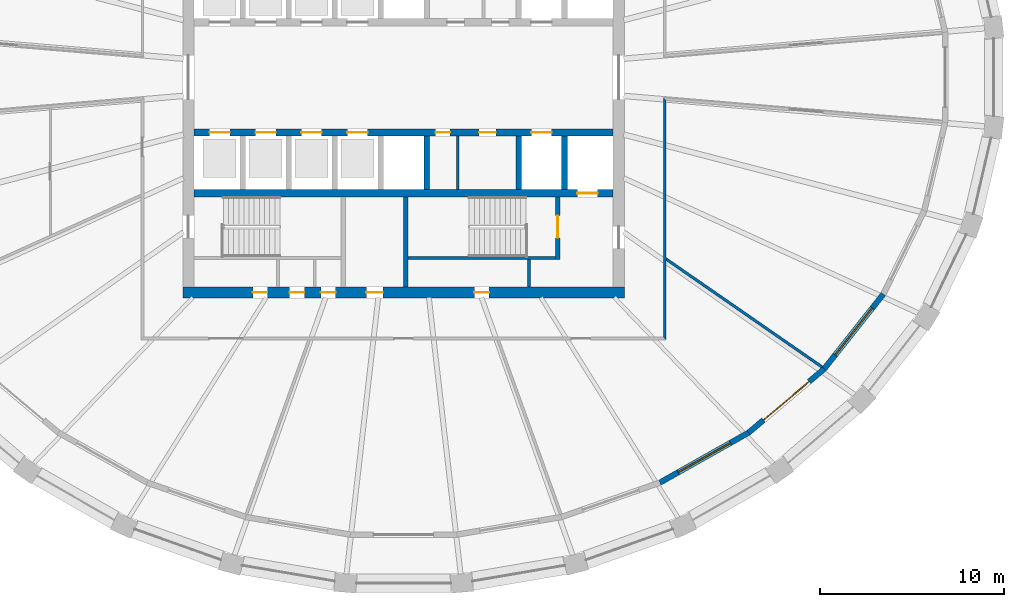
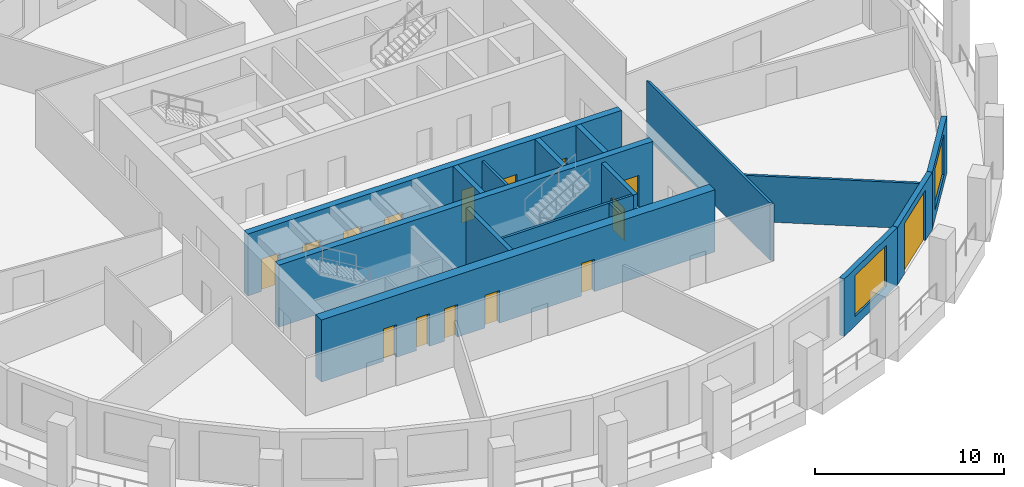
# One storey, part 4 of 10: 16 walls, 15 doors, 2 windows, 17 openings.
"""IFC4 building model written with IfcOpenShell, lengths in metres."""

from ifc_helpers import new_model, si_unit, direction, frame, frame_2d, origin, place, context, subcontext, project, spatial, polyline, rectangle, outline, extrude, material, layer, layer_set, type_object, element, fill, save


model = new_model("IFC4")

# Units and contexts
model_context = context("Model", 3, precision=1e-05, world=origin(), true_north=direction((0.0, 1.0)))
body_context = subcontext(model_context, "Body", "Model", "MODEL_VIEW")
ifc_project = project(units=[si_unit("LENGTHUNIT", "METRE"), si_unit("AREAUNIT", "SQUARE_METRE"), si_unit("VOLUMEUNIT", "CUBIC_METRE"), si_unit("PLANEANGLEUNIT", "RADIAN"), si_unit("MASSUNIT", "GRAM", prefix="KILO")], contexts=[model_context])

# Site, building, storey
site_placement = place(None, origin())
site = spatial("IfcSite", under=ifc_project, at=site_placement, CompositionType="ELEMENT")
building_placement = place(site_placement, origin())
building = spatial("IfcBuilding", under=site, at=building_placement, Name="Halqa Exchange Tower", CompositionType="ELEMENT")
storey_placement = place(building_placement, frame((0.0, 0.0, 206.89990234375)))
storey = spatial("IfcBuildingStorey", under=building, at=storey_placement, Name="L47", CompositionType="ELEMENT", Elevation=206.89990234375)

# Walls
ifc_material_1 = material(Name="Fire-rated gypsum board")
ifc_layer_1 = layer(ifc_material_1, 0.14990234375)
ifc_layer_set_1 = layer_set([ifc_layer_1], Name="Fire-rated gypsum board")
wall_type_1 = type_object("IfcWallType", Name="Fire partition EI 60 150", PredefinedType="PARTITIONING", material=ifc_layer_set_1)
wall_1_placement = place(storey_placement, frame((14.199951171875, -14.27490234375, 0.0), z_axis=(0.0, 0.0, 1.0), x_axis=(0.0, 1.0, 0.0)))
element("IfcWall", 1, at=wall_1_placement, inside=storey, type_object=wall_type_1, Name="L47-PWL-016", PredefinedType="PARTITIONING", context=body_context, shape_type="SweptSolid", body=[
    extrude(outline(polyline([(0.0, -0.074951171875), (1.859130859375, -0.074951171875), (3.71826171875, -0.074951171875), (5.5771484375, -0.074951171875), (7.436279296875, -0.074951171875), (9.29541015625, -0.074951171875), (11.154541015625, -0.074951171875), (13.013427734375, -0.074951171875), (13.176513671875, 0.074951171875), (11.3154296875, 0.074951171875), (9.45458984375, 0.074951171875), (7.593505859375, 0.074951171875), (5.732666015625, 0.074951171875), (3.871826171875, 0.074951171875), (2.0107421875, 0.074951171875), (0.14990234375, 0.074951171875), (0.0, -0.074951171875)])), origin(), (0.0, 0.0, 1.0), 3.7001953125),
])
wall_2_placement = place(storey_placement, frame((14.232421875, -9.8525390625, 0.0), z_axis=(0.0, 0.0, 1.0), x_axis=(0.822298116352, -0.569056946047, 0.0)))
element("IfcWall", 2, at=wall_2_placement, inside=storey, type_object=wall_type_1, Name="L47-PWL-017", PredefinedType="PARTITIONING", context=body_context, shape_type="SweptSolid", body=[
    extrude(outline(polyline([(0.103759765625, -0.074951171875), (1.810791015625, -0.074951171875), (3.517822265625, -0.074951171875), (5.224853515625, -0.074951171875), (6.931884765625, -0.074951171875), (8.638916015625, -0.074951171875), (10.345947265625, -0.074951171875), (10.36572265625, -0.001953125), (10.370361328125, 0.070068359375), (10.370361328125, 0.074951171875), (8.64208984375, 0.074951171875), (6.91357421875, 0.074951171875), (5.18505859375, 0.074951171875), (3.456787109375, 0.074951171875), (1.728515625, 0.074951171875), (0.0, 0.074951171875), (0.0, 0.07470703125), (0.103759765625, -0.074951171875)])), origin(), (0.0, 0.0, 1.0), 2.947021484375),
])
ifc_material_2 = material(Name="Gypsum board")
ifc_layer_2 = layer(ifc_material_2, 0.14990234375)
ifc_layer_set_2 = layer_set([ifc_layer_2], Name="Gypsum board")
wall_type_2 = type_object("IfcWallType", Name="Penthouse riser wall 150 gypsum", PredefinedType="PARTITIONING", material=ifc_layer_set_2)
wall_3_placement = place(storey_placement, frame((6.824951171875, -11.39990234375, 0.0), z_axis=(0.0, 0.0, 1.0), x_axis=(0.0, 1.0, 0.0)))
element("IfcWall", 3, at=wall_3_placement, inside=storey, type_object=wall_type_2, Name="Firefighting lobby west wall S", PredefinedType="PARTITIONING", context=body_context, shape_type="SweptSolid", body=[
    extrude(rectangle(XDim=1.5, YDim=0.14990234375, at=frame_2d((0.75, 0.0))), origin(), (0.0, 0.0, 1.0), 3.7001953125),
])
wall_4_placement = place(storey_placement, frame((2.949951171875, -6.10009765625, 0.0), z_axis=(0.0, 0.0, 1.0), x_axis=(0.0, 1.0, 0.0)))
element("IfcWall", 4, at=wall_4_placement, inside=storey, type_object=wall_type_2, Name="Freed bay partition SE2.950", PredefinedType="PARTITIONING", context=body_context, shape_type="SweptSolid", body=[
    extrude(rectangle(XDim=2.900146484375, YDim=0.14990234375, at=frame_2d((1.4501953125, 0.0))), origin(), (0.0, 0.0, 1.0), 3.7001953125),
])
ifc_material_3 = material(Name="Concrete C60/75", Category="concrete")
ifc_layer_3 = layer(ifc_material_3, 0.300048828125)
ifc_layer_set_3 = layer_set([ifc_layer_3], Name="Concrete C60/75")
wall_type_3 = type_object("IfcWallType", Name="RC core wall 300", PredefinedType="SHEAR", material=ifc_layer_set_3)
for number, where, z_axis, x_axis, name in (
    (5, (1.25, -6.10009765625, 0.0), (0.0, 0.0, 1.0), (0.0, 1.0, 0.0), "Shaft divider S5"),
    (6, (6.25, -6.10009765625, 0.0), (0.0, 0.0, 1.0), (0.0, 1.0, 0.0), "Shaft divider S7"),
    (7, (8.75, -6.10009765625, 0.0), (0.0, 0.0, 1.0), (0.0, 1.0, 0.0), "Shaft divider S8"),
):
    element("IfcWall", number, at=place(storey_placement, frame(where, z_axis=z_axis, x_axis=x_axis)), inside=storey, type_object=wall_type_3, Name=name, PredefinedType="SHEAR", context=body_context, shape_type="SweptSolid", body=[
        extrude(rectangle(XDim=2.900146484375, YDim=0.300048828125, at=frame_2d((1.4501953125, 0.0))), origin(), (0.0, 0.0, 1.0), 4.0),
    ])

# Wall, openings, doors
ifc_material_4 = material(Name="Concrete C70/85", Category="concrete")
ifc_layer_4 = layer(ifc_material_4, 0.39990234375)
ifc_layer_set_4 = layer_set([ifc_layer_4], Name="Concrete C70/85")
wall_type_4 = type_object("IfcWallType", Name="RC core wall 400 C70/85", PredefinedType="SHEAR", material=ifc_layer_set_4)
wall_5_placement = place(storey_placement, frame((-11.39990234375, -3.0, 0.0), z_axis=(0.0, 0.0, 1.0), x_axis=(1.0, 0.0, 0.0)))
wall_5 = element("IfcWall", 8, at=wall_5_placement, inside=storey, type_object=wall_type_4, Name="Lift row front wall S", PredefinedType="SHEAR", context=body_context, shape_type="SweptSolid", body=[
    extrude(rectangle(XDim=22.7998046875, YDim=0.39990234375, at=frame_2d((11.39990234375, 0.0))), origin(), (0.0, 0.0, 1.0), 4.0),
])
opening_1_placement = place(wall_5_placement, frame((0.85009765625, 0.0, 0.0)))
opening_1 = element("IfcOpeningElement", 9, at=opening_1_placement, cuts=wall_5, Name="Opening LD-HR3-T14", PredefinedType="OPENING", context=body_context, shape_type="SweptSolid", body=[
    extrude(rectangle(XDim=1.10009765625, YDim=2.10009765625, at=frame_2d((0.550048828125, 1.050048828125))), frame((0.0, 0.2119140625, 0.0), z_axis=(0.0, -1.0, 0.0), x_axis=(1.0, 0.0, 0.0)), (0.0, 0.0, 1.0), 0.423828125),
])
opening_2_placement = place(wall_5_placement, frame((3.35009765625, 0.0, 0.0)))
opening_2 = element("IfcOpeningElement", 10, at=opening_2_placement, cuts=wall_5, Name="Opening LD-HR4-T14", PredefinedType="OPENING", context=body_context, shape_type="SweptSolid", body=[
    extrude(rectangle(XDim=1.10009765625, YDim=2.10009765625, at=frame_2d((0.550048828125, 1.050048828125))), frame((0.0, 0.2119140625, 0.0), z_axis=(0.0, -1.0, 0.0), x_axis=(1.0, 0.0, 0.0)), (0.0, 0.0, 1.0), 0.423828125),
])
opening_3_placement = place(wall_5_placement, frame((5.85009765625, 0.0, 0.0)))
opening_3 = element("IfcOpeningElement", 11, at=opening_3_placement, cuts=wall_5, Name="Opening LD-MR3-T14", PredefinedType="OPENING", context=body_context, shape_type="SweptSolid", body=[
    extrude(rectangle(XDim=1.10009765625, YDim=2.10009765625, at=frame_2d((0.550048828125, 1.050048828125))), frame((0.0, 0.2119140625, 0.0), z_axis=(0.0, -1.0, 0.0), x_axis=(1.0, 0.0, 0.0)), (0.0, 0.0, 1.0), 0.423828125),
])
opening_4_placement = place(wall_5_placement, frame((8.35009765625, 0.0, 0.0)))
opening_4 = element("IfcOpeningElement", 12, at=opening_4_placement, cuts=wall_5, Name="Opening LD-MR4-T14", PredefinedType="OPENING", context=body_context, shape_type="SweptSolid", body=[
    extrude(rectangle(XDim=1.10009765625, YDim=2.10009765625, at=frame_2d((0.550048828125, 1.050048828125))), frame((0.0, 0.2119140625, 0.0), z_axis=(0.0, -1.0, 0.0), x_axis=(1.0, 0.0, 0.0)), (0.0, 0.0, 1.0), 0.423828125),
])
opening_5_placement = place(wall_5_placement, frame((18.35009765625, 0.0, 0.0)))
opening_5 = element("IfcOpeningElement", 13, at=opening_5_placement, cuts=wall_5, Name="Opening LD-SV2-T14", PredefinedType="OPENING", context=body_context, shape_type="SweptSolid", body=[
    extrude(rectangle(XDim=1.10009765625, YDim=2.10009765625, at=frame_2d((0.550048828125, 1.050048828125))), frame((0.0, 0.2119140625, 0.0), z_axis=(0.0, -1.0, 0.0), x_axis=(1.0, 0.0, 0.0)), (0.0, 0.0, 1.0), 0.423828125),
])
opening_6_placement = place(wall_5_placement, frame((13.137451171875, 0.0, 0.0)))
opening_6 = element("IfcOpeningElement", 14, at=opening_6_placement, cuts=wall_5, Name="Opening T14-C33", PredefinedType="OPENING", context=body_context, shape_type="SweptSolid", body=[
    extrude(rectangle(XDim=0.800048828125, YDim=2.10009765625, at=frame_2d((0.39990234375, 1.050048828125))), frame((0.0, 0.2119140625, 0.0), z_axis=(0.0, -1.0, 0.0), x_axis=(1.0, 0.0, 0.0)), (0.0, 0.0, 1.0), 0.423828125),
])
opening_7_placement = place(wall_5_placement, frame((15.512451171875, 0.0, 0.0)))
opening_7 = element("IfcOpeningElement", 15, at=opening_7_placement, cuts=wall_5, Name="Opening T14-C34", PredefinedType="OPENING", context=body_context, shape_type="SweptSolid", body=[
    extrude(rectangle(XDim=0.89990234375, YDim=2.10009765625, at=frame_2d((0.449951171875, 1.050048828125))), frame((0.0, 0.2119140625, 0.0), z_axis=(0.0, -1.0, 0.0), x_axis=(1.0, 0.0, 0.0)), (0.0, 0.0, 1.0), 0.423828125),
])
ifc_material_5 = material(Name="Timber fire door leaf", Category="wood")
door_type_1 = type_object("IfcDoorType", Name="Core room door FD30 900 x 2100", OperationType="SINGLE_SWING_LEFT", PredefinedType="DOOR", material=ifc_material_5)
door_1_placement = place(opening_7_placement, frame((0.89990234375, 0.0, 0.0), z_axis=(0.0, 0.0, 1.0), x_axis=(-1.0, 0.0, 0.0)))
door_1 = element("IfcDoor", 16, at=door_1_placement, inside=storey, type_object=door_type_1, Name="Core room door", OperationType="SINGLE_SWING_RIGHT", OverallHeight=2.10009765625, OverallWidth=0.89990234375, PredefinedType="DOOR", context=body_context, shape_type="SweptSolid", body=[
    extrude(rectangle(XDim=0.89990234375, YDim=2.10009765625, at=frame_2d((0.449951171875, 1.050048828125))), frame((0.0, 0.02490234375, 0.0), z_axis=(0.0, -1.0, 0.0), x_axis=(1.0, 0.0, 0.0)), (0.0, 0.0, 1.0), 0.050048828125),
])
fill(opening_7, door_1)
ifc_material_6 = material(Name="Stainless steel", Category="steel")
door_type_2 = type_object("IfcDoorType", Name="Lift landing door 1100 x 2100", OperationType="SLIDING_TO_LEFT", PredefinedType="DOOR", material=ifc_material_6)
door_2_placement = place(opening_1_placement, origin())
door_2 = element("IfcDoor", 17, at=door_2_placement, inside=storey, type_object=door_type_2, Name="Lift landing door HR3", OperationType="SLIDING_TO_LEFT", OverallHeight=2.10009765625, OverallWidth=1.10009765625, PredefinedType="DOOR", context=body_context, shape_type="SweptSolid", body=[
    extrude(rectangle(XDim=1.10009765625, YDim=2.10009765625, at=frame_2d((0.550048828125, 1.050048828125))), frame((0.0, 0.02490234375, 0.0), z_axis=(0.0, -1.0, 0.0), x_axis=(1.0, 0.0, 0.0)), (0.0, 0.0, 1.0), 0.050048828125),
])
fill(opening_1, door_2)
door_3_placement = place(opening_2_placement, origin())
door_3 = element("IfcDoor", 18, at=door_3_placement, inside=storey, type_object=door_type_2, Name="Lift landing door HR4", OperationType="SLIDING_TO_LEFT", OverallHeight=2.10009765625, OverallWidth=1.10009765625, PredefinedType="DOOR", context=body_context, shape_type="SweptSolid", body=[
    extrude(rectangle(XDim=1.10009765625, YDim=2.10009765625, at=frame_2d((0.550048828125, 1.050048828125))), frame((0.0, 0.02490234375, 0.0), z_axis=(0.0, -1.0, 0.0), x_axis=(1.0, 0.0, 0.0)), (0.0, 0.0, 1.0), 0.050048828125),
])
fill(opening_2, door_3)
door_4_placement = place(opening_3_placement, origin())
door_4 = element("IfcDoor", 19, at=door_4_placement, inside=storey, type_object=door_type_2, Name="Lift landing door MR3", OperationType="SLIDING_TO_LEFT", OverallHeight=2.10009765625, OverallWidth=1.10009765625, PredefinedType="DOOR", context=body_context, shape_type="SweptSolid", body=[
    extrude(rectangle(XDim=1.10009765625, YDim=2.10009765625, at=frame_2d((0.550048828125, 1.050048828125))), frame((0.0, 0.02490234375, 0.0), z_axis=(0.0, -1.0, 0.0), x_axis=(1.0, 0.0, 0.0)), (0.0, 0.0, 1.0), 0.050048828125),
])
fill(opening_3, door_4)
door_5_placement = place(opening_4_placement, origin())
door_5 = element("IfcDoor", 20, at=door_5_placement, inside=storey, type_object=door_type_2, Name="Lift landing door MR4", OperationType="SLIDING_TO_LEFT", OverallHeight=2.10009765625, OverallWidth=1.10009765625, PredefinedType="DOOR", context=body_context, shape_type="SweptSolid", body=[
    extrude(rectangle(XDim=1.10009765625, YDim=2.10009765625, at=frame_2d((0.550048828125, 1.050048828125))), frame((0.0, 0.02490234375, 0.0), z_axis=(0.0, -1.0, 0.0), x_axis=(1.0, 0.0, 0.0)), (0.0, 0.0, 1.0), 0.050048828125),
])
fill(opening_4, door_5)
door_6_placement = place(opening_5_placement, origin())
door_6 = element("IfcDoor", 21, at=door_6_placement, inside=storey, type_object=door_type_2, Name="Lift landing door SV2", OperationType="SLIDING_TO_LEFT", OverallHeight=2.10009765625, OverallWidth=1.10009765625, PredefinedType="DOOR", context=body_context, shape_type="SweptSolid", body=[
    extrude(rectangle(XDim=1.10009765625, YDim=2.10009765625, at=frame_2d((0.550048828125, 1.050048828125))), frame((0.0, 0.02490234375, 0.0), z_axis=(0.0, -1.0, 0.0), x_axis=(1.0, 0.0, 0.0)), (0.0, 0.0, 1.0), 0.050048828125),
])
fill(opening_5, door_6)
ifc_material_7 = material(Name="Steel fire door leaf", Category="steel")
door_type_3 = type_object("IfcDoorType", Name="Riser door FD60 800 x 2100", OperationType="SINGLE_SWING_LEFT", PredefinedType="DOOR", material=ifc_material_7)
door_7_placement = place(opening_6_placement, frame((0.800048828125, 0.0, 0.0), z_axis=(0.0, 0.0, 1.0), x_axis=(-1.0, 0.0, 0.0)))
door_7 = element("IfcDoor", 22, at=door_7_placement, inside=storey, type_object=door_type_3, Name="Core room door", OperationType="SINGLE_SWING_LEFT", OverallHeight=2.10009765625, OverallWidth=0.800048828125, PredefinedType="DOOR", context=body_context, shape_type="SweptSolid", body=[
    extrude(rectangle(XDim=0.800048828125, YDim=2.10009765625, at=frame_2d((0.39990234375, 1.050048828125))), frame((0.0, 0.02490234375, 0.0), z_axis=(0.0, -1.0, 0.0), x_axis=(1.0, 0.0, 0.0)), (0.0, 0.0, 1.0), 0.050048828125),
])
fill(opening_6, door_7)

# Wall, opening, door
wall_6_placement = place(storey_placement, frame((-11.39990234375, -6.300048828125, 0.0), z_axis=(0.0, 0.0, 1.0), x_axis=(1.0, 0.0, 0.0)))
wall_6 = element("IfcWall", 23, at=wall_6_placement, inside=storey, type_object=wall_type_4, Name="Lift row back wall S", PredefinedType="SHEAR", context=body_context, shape_type="SweptSolid", body=[
    extrude(rectangle(XDim=22.7998046875, YDim=0.39990234375, at=frame_2d((11.39990234375, 0.0))), origin(), (0.0, 0.0, 1.0), 4.0),
])
opening_8_placement = place(wall_6_placement, frame((20.85009765625, 0.0, 0.0)))
opening_8 = element("IfcOpeningElement", 24, at=opening_8_placement, cuts=wall_6, Name="Opening LD-FF2-T14", PredefinedType="OPENING", context=body_context, shape_type="SweptSolid", body=[
    extrude(rectangle(XDim=1.10009765625, YDim=2.10009765625, at=frame_2d((0.550048828125, 1.050048828125))), frame((0.0, 0.2119140625, 0.0), z_axis=(0.0, -1.0, 0.0), x_axis=(1.0, 0.0, 0.0)), (0.0, 0.0, 1.0), 0.423828125),
])
door_8_placement = place(opening_8_placement, origin())
door_8 = element("IfcDoor", 25, at=door_8_placement, inside=storey, type_object=door_type_2, Name="Lift landing door FF2", OperationType="SLIDING_TO_LEFT", OverallHeight=2.10009765625, OverallWidth=1.10009765625, PredefinedType="DOOR", context=body_context, shape_type="SweptSolid", body=[
    extrude(rectangle(XDim=1.10009765625, YDim=2.10009765625, at=frame_2d((0.550048828125, 1.050048828125))), frame((0.0, 0.02490234375, 0.0), z_axis=(0.0, -1.0, 0.0), x_axis=(1.0, 0.0, 0.0)), (0.0, 0.0, 1.0), 0.050048828125),
])
fill(opening_8, door_8)

# Wall, openings, doors
ifc_layer_5 = layer(ifc_material_4, 0.60009765625)
ifc_layer_set_5 = layer_set([ifc_layer_5], Name="Concrete C70/85")
wall_type_5 = type_object("IfcWallType", Name="RC core wall 600 C70/85", PredefinedType="SHEAR", material=ifc_layer_set_5)
wall_7_placement = place(storey_placement, frame((-12.0, -11.699951171875, 0.0), z_axis=(0.0, 0.0, 1.0), x_axis=(1.0, 0.0, 0.0)))
wall_7 = element("IfcWall", 26, at=wall_7_placement, inside=storey, type_object=wall_type_5, Name="Core wall south", PredefinedType="SHEAR", context=body_context, shape_type="SweptSolid", body=[
    extrude(rectangle(XDim=24.0, YDim=0.60009765625, at=frame_2d((12.0, 0.0))), origin(), (0.0, 0.0, 1.0), 4.0),
])
opening_9_placement = place(wall_7_placement, frame((9.97509765625, 0.0, 0.0)))
opening_9 = element("IfcOpeningElement", 27, at=opening_9_placement, cuts=wall_7, Name="Opening T14-C26", PredefinedType="OPENING", context=body_context, shape_type="SweptSolid", body=[
    extrude(rectangle(XDim=0.89990234375, YDim=2.10009765625, at=frame_2d((0.449951171875, 1.050048828125))), frame((0.0, 0.31201171875, 0.0), z_axis=(0.0, -1.0, 0.0), x_axis=(1.0, 0.0, 0.0)), (0.0, 0.0, 1.0), 0.6240234375),
])
opening_10_placement = place(wall_7_placement, frame((3.800048828125, 0.0, 0.0)))
opening_10 = element("IfcOpeningElement", 28, at=opening_10_placement, cuts=wall_7, Name="Opening T14-C27", PredefinedType="OPENING", context=body_context, shape_type="SweptSolid", body=[
    extrude(rectangle(XDim=0.800048828125, YDim=2.10009765625, at=frame_2d((0.39990234375, 1.050048828125))), frame((0.0, 0.31201171875, 0.0), z_axis=(0.0, -1.0, 0.0), x_axis=(1.0, 0.0, 0.0)), (0.0, 0.0, 1.0), 0.6240234375),
])
opening_11_placement = place(wall_7_placement, frame((5.800048828125, 0.0, 0.0)))
opening_11 = element("IfcOpeningElement", 29, at=opening_11_placement, cuts=wall_7, Name="Opening T14-C28", PredefinedType="OPENING", context=body_context, shape_type="SweptSolid", body=[
    extrude(rectangle(XDim=0.800048828125, YDim=2.10009765625, at=frame_2d((0.39990234375, 1.050048828125))), frame((0.0, 0.31201171875, 0.0), z_axis=(0.0, -1.0, 0.0), x_axis=(1.0, 0.0, 0.0)), (0.0, 0.0, 1.0), 0.6240234375),
])
opening_12_placement = place(wall_7_placement, frame((7.5, 0.0, 0.0)))
opening_12 = element("IfcOpeningElement", 30, at=opening_12_placement, cuts=wall_7, Name="Opening T14-C29", PredefinedType="OPENING", context=body_context, shape_type="SweptSolid", body=[
    extrude(rectangle(XDim=0.800048828125, YDim=2.10009765625, at=frame_2d((0.39990234375, 1.050048828125))), frame((0.0, 0.31201171875, 0.0), z_axis=(0.0, -1.0, 0.0), x_axis=(1.0, 0.0, 0.0)), (0.0, 0.0, 1.0), 0.6240234375),
])
opening_13_placement = place(wall_7_placement, frame((15.85009765625, 0.0, 0.0)))
opening_13 = element("IfcOpeningElement", 31, at=opening_13_placement, cuts=wall_7, Name="Opening T14-C30", PredefinedType="OPENING", context=body_context, shape_type="SweptSolid", body=[
    extrude(rectangle(XDim=0.800048828125, YDim=2.10009765625, at=frame_2d((0.39990234375, 1.050048828125))), frame((0.0, 0.31201171875, 0.0), z_axis=(0.0, -1.0, 0.0), x_axis=(1.0, 0.0, 0.0)), (0.0, 0.0, 1.0), 0.6240234375),
])
door_9_placement = place(opening_9_placement, origin())
door_9 = element("IfcDoor", 32, at=door_9_placement, inside=storey, type_object=door_type_1, Name="Core room door", OperationType="SINGLE_SWING_RIGHT", OverallHeight=2.10009765625, OverallWidth=0.89990234375, PredefinedType="DOOR", context=body_context, shape_type="SweptSolid", body=[
    extrude(rectangle(XDim=0.89990234375, YDim=2.10009765625, at=frame_2d((0.449951171875, 1.050048828125))), frame((0.0, 0.02490234375, 0.0), z_axis=(0.0, -1.0, 0.0), x_axis=(1.0, 0.0, 0.0)), (0.0, 0.0, 1.0), 0.050048828125),
])
fill(opening_9, door_9)
door_10_placement = place(opening_10_placement, origin())
door_10 = element("IfcDoor", 33, at=door_10_placement, inside=storey, type_object=door_type_3, Name="Core room door", OperationType="SINGLE_SWING_LEFT", OverallHeight=2.10009765625, OverallWidth=0.800048828125, PredefinedType="DOOR", context=body_context, shape_type="SweptSolid", body=[
    extrude(rectangle(XDim=0.800048828125, YDim=2.10009765625, at=frame_2d((0.39990234375, 1.050048828125))), frame((0.0, 0.02490234375, 0.0), z_axis=(0.0, -1.0, 0.0), x_axis=(1.0, 0.0, 0.0)), (0.0, 0.0, 1.0), 0.050048828125),
])
fill(opening_10, door_10)
door_11_placement = place(opening_11_placement, origin())
door_11 = element("IfcDoor", 34, at=door_11_placement, inside=storey, type_object=door_type_3, Name="Core room door", OperationType="SINGLE_SWING_LEFT", OverallHeight=2.10009765625, OverallWidth=0.800048828125, PredefinedType="DOOR", context=body_context, shape_type="SweptSolid", body=[
    extrude(rectangle(XDim=0.800048828125, YDim=2.10009765625, at=frame_2d((0.39990234375, 1.050048828125))), frame((0.0, 0.02490234375, 0.0), z_axis=(0.0, -1.0, 0.0), x_axis=(1.0, 0.0, 0.0)), (0.0, 0.0, 1.0), 0.050048828125),
])
fill(opening_11, door_11)
door_12_placement = place(opening_12_placement, origin())
door_12 = element("IfcDoor", 35, at=door_12_placement, inside=storey, type_object=door_type_3, Name="Core room door", OperationType="SINGLE_SWING_LEFT", OverallHeight=2.10009765625, OverallWidth=0.800048828125, PredefinedType="DOOR", context=body_context, shape_type="SweptSolid", body=[
    extrude(rectangle(XDim=0.800048828125, YDim=2.10009765625, at=frame_2d((0.39990234375, 1.050048828125))), frame((0.0, 0.02490234375, 0.0), z_axis=(0.0, -1.0, 0.0), x_axis=(1.0, 0.0, 0.0)), (0.0, 0.0, 1.0), 0.050048828125),
])
fill(opening_12, door_12)
door_13_placement = place(opening_13_placement, origin())
door_13 = element("IfcDoor", 36, at=door_13_placement, inside=storey, type_object=door_type_3, Name="Core room door", OperationType="SINGLE_SWING_LEFT", OverallHeight=2.10009765625, OverallWidth=0.800048828125, PredefinedType="DOOR", context=body_context, shape_type="SweptSolid", body=[
    extrude(rectangle(XDim=0.800048828125, YDim=2.10009765625, at=frame_2d((0.39990234375, 1.050048828125))), frame((0.0, 0.02490234375, 0.0), z_axis=(0.0, -1.0, 0.0), x_axis=(1.0, 0.0, 0.0)), (0.0, 0.0, 1.0), 0.050048828125),
])
fill(opening_13, door_13)

# Walls
ifc_material_8 = material(Name="Concrete C30/37", Category="concrete")
ifc_layer_6 = layer(ifc_material_8, 0.14990234375)
ifc_layer_set_6 = layer_set([ifc_layer_6], Name="Concrete C30/37")
wall_type_6 = type_object("IfcWallType", Name="RC stair wall 150 C30/37", PredefinedType="SHEAR", material=ifc_layer_set_6)
wall_8_placement = place(storey_placement, frame((0.25, -9.824951171875, 0.0), z_axis=(0.0, 0.0, 1.0), x_axis=(1.0, 0.0, 0.0)))
element("IfcWall", 37, at=wall_8_placement, inside=storey, type_object=wall_type_6, Name="Stair ST2 north wall S", PredefinedType="SHEAR", context=body_context, shape_type="SweptSolid", body=[
    extrude(rectangle(XDim=8.0, YDim=0.14990234375, at=frame_2d((4.0, 0.0))), origin(), (0.0, 0.0, 1.0), 3.7001953125),
])
ifc_layer_7 = layer(ifc_material_8, 0.25)
ifc_layer_set_7 = layer_set([ifc_layer_7], Name="Concrete C30/37")
wall_type_7 = type_object("IfcWallType", Name="RC stair wall 250 C30/37", PredefinedType="SHEAR", material=ifc_layer_set_7)
wall_9_placement = place(storey_placement, frame((0.125, -11.39990234375, 0.0), z_axis=(0.0, 0.0, 1.0), x_axis=(0.0, 1.0, 0.0)))
element("IfcWall", 38, at=wall_9_placement, inside=storey, type_object=wall_type_7, Name="Stair ST2 west wall S", PredefinedType="SHEAR", context=body_context, shape_type="SweptSolid", body=[
    extrude(rectangle(XDim=4.89990234375, YDim=0.25, at=frame_2d((2.449951171875, 0.0))), origin(), (0.0, 0.0, 1.0), 3.7001953125),
])

# Wall, opening, door
wall_10_placement = place(storey_placement, frame((8.375, -9.89990234375, 0.0), z_axis=(0.0, 0.0, 1.0), x_axis=(0.0, 1.0, 0.0)))
wall_10 = element("IfcWall", 39, at=wall_10_placement, inside=storey, type_object=wall_type_7, Name="Stair ST2 east wall S", PredefinedType="SHEAR", context=body_context, shape_type="SweptSolid", body=[
    extrude(rectangle(XDim=3.39990234375, YDim=0.25, at=frame_2d((1.699951171875, 0.0))), origin(), (0.0, 0.0, 1.0), 3.7001953125),
])
opening_14_placement = place(wall_10_placement, frame((1.175048828125, 0.0, 0.0)))
opening_14 = element("IfcOpeningElement", 40, at=opening_14_placement, cuts=wall_10, Name="Opening T14-C18", PredefinedType="OPENING", context=body_context, shape_type="SweptSolid", body=[
    extrude(rectangle(XDim=1.199951171875, YDim=2.10009765625, at=frame_2d((0.60009765625, 1.050048828125))), frame((0.0, 0.136962890625, 0.0), z_axis=(0.0, -1.0, 0.0), x_axis=(1.0, 0.0, 0.0)), (0.0, 0.0, 1.0), 0.27392578125),
])
door_type_4 = type_object("IfcDoorType", Name="Stair door FD90 1200 x 2100", OperationType="SINGLE_SWING_LEFT", PredefinedType="DOOR", material=ifc_material_7)
door_14_placement = place(opening_14_placement, origin())
door_14 = element("IfcDoor", 41, at=door_14_placement, inside=storey, type_object=door_type_4, Name="Stair door ST4", OperationType="SINGLE_SWING_RIGHT", OverallHeight=2.10009765625, OverallWidth=1.199951171875, PredefinedType="DOOR", context=body_context, shape_type="SweptSolid", body=[
    extrude(rectangle(XDim=1.199951171875, YDim=2.10009765625, at=frame_2d((0.60009765625, 1.050048828125))), frame((0.0, 0.02490234375, 0.0), z_axis=(0.0, -1.0, 0.0), x_axis=(1.0, 0.0, 0.0)), (0.0, 0.0, 1.0), 0.050048828125),
])
fill(opening_14, door_14)

# Wall, opening, window
ifc_material_9 = material(Name="Limestone cladding", Category="masonry")
ifc_layer_8 = layer(ifc_material_9, 0.0400390625)
ifc_material_10 = material(Name="Ventilated cavity")
ifc_layer_9 = layer(ifc_material_10, 0.030029296875, ventilated=True)
ifc_material_11 = material(Name="Mineral wool insulation")
ifc_layer_10 = layer(ifc_material_11, 0.10009765625)
ifc_layer_11 = layer(ifc_material_8, 0.10009765625)
ifc_material_12 = material(Name="Internal plaster")
ifc_layer_12 = layer(ifc_material_12, 0.030029296875)
ifc_layer_set_8 = layer_set([ifc_layer_8, ifc_layer_9, ifc_layer_10, ifc_layer_11, ifc_layer_12], Name="Stone-faced insulated wall 300")
wall_type_8 = type_object("IfcWallType", Name="Stone-faced insulated wall 300", PredefinedType="STANDARD", material=ifc_layer_set_8)
wall_11_placement = place(storey_placement, frame((13.9384765625, -22.03662109375, 0.0), z_axis=(0.0, 0.0, 1.0), x_axis=(0.871140546168, 0.491033755278, 0.0)))
wall_11 = element("IfcWall", 42, at=wall_11_placement, inside=storey, type_object=wall_type_8, Name="Glass-line wall 27", PredefinedType="STANDARD", context=body_context, shape_type="SweptSolid", body=[
    extrude(outline(polyline([(-0.013427734375, -0.14990234375), (5.549560546875, -0.14990234375), (5.521240234375, 0.14990234375), (0.013427734375, 0.14990234375), (-0.013427734375, -0.14990234375)])), origin(), (0.0, 0.0, 1.0), 3.7001953125),
])
opening_15_placement = place(wall_11_placement, frame((1.142578125, 0.0, 0.60009765625)))
opening_15 = element("IfcOpeningElement", 43, at=opening_15_placement, cuts=wall_11, Name="Opening W-F3-27", PredefinedType="OPENING", context=body_context, shape_type="SweptSolid", body=[
    extrude(rectangle(XDim=3.25, YDim=2.64990234375, at=frame_2d((1.625, 1.324951171875))), frame((0.0, 0.162109375, 0.0), z_axis=(0.0, -1.0, 0.0), x_axis=(1.0, 0.0, 0.0)), (0.0, 0.0, 1.0), 0.323974609375),
])
ifc_material_13 = material(Name="Clear low-emissivity glass in aluminium frame", Category="aluminium")
window_type = type_object("IfcWindowType", Name="Fixed clear glazed window 3250 x 2650", PartitioningType="TRIPLE_PANEL_VERTICAL", PredefinedType="WINDOW", material=ifc_material_13)
window_1_placement = place(opening_15_placement, origin())
window_1 = element("IfcWindow", 44, at=window_1_placement, inside=storey, type_object=window_type, Name="Window 3", OverallHeight=2.64990234375, OverallWidth=3.25, PartitioningType="TRIPLE_PANEL_VERTICAL", PredefinedType="WINDOW", context=body_context, shape_type="SweptSolid", body=[
    extrude(rectangle(XDim=3.25, YDim=2.64990234375, at=frame_2d((1.625, 1.324951171875))), frame((0.0, 0.030029296875, 0.0), z_axis=(0.0, -1.0, 0.0), x_axis=(1.0, 0.0, 0.0)), (0.0, 0.0, 1.0), 0.06005859375),
])
fill(opening_15, window_1)

# Wall, opening, door
wall_12_placement = place(storey_placement, frame((18.760498046875, -19.318603515625, 0.0), z_axis=(0.0, 0.0, 1.0), x_axis=(0.764386053229, 0.6447588399, 0.0)))
wall_12 = element("IfcWall", 45, at=wall_12_placement, inside=storey, type_object=wall_type_8, Name="Glass-line wall 28", PredefinedType="STANDARD", context=body_context, shape_type="SweptSolid", body=[
    extrude(outline(polyline([(-0.01416015625, -0.14990234375), (5.382568359375, -0.14990234375), (5.352294921875, 0.14990234375), (0.01416015625, 0.14990234375), (-0.01416015625, -0.14990234375)])), origin(), (0.0, 0.0, 1.0), 3.7001953125),
])
opening_16_placement = place(wall_12_placement, frame((1.058837890625, 0.0, 0.0)))
opening_16 = element("IfcOpeningElement", 46, at=opening_16_placement, cuts=wall_12, Name="Opening LG-F3-07", PredefinedType="OPENING", context=body_context, shape_type="SweptSolid", body=[
    extrude(rectangle(XDim=3.25, YDim=3.25, at=frame_2d((1.625, 1.625))), frame((0.0, 0.162109375, 0.0), z_axis=(0.0, -1.0, 0.0), x_axis=(1.0, 0.0, 0.0)), (0.0, 0.0, 1.0), 0.323974609375),
])
door_type_5 = type_object("IfcDoorType", Name="Glazed sliding loggia door 3250 x 3250", OperationType="DOUBLE_DOOR_SLIDING", PredefinedType="DOOR", material=ifc_material_13)
door_15_placement = place(opening_16_placement, origin())
door_15 = element("IfcDoor", 47, at=door_15_placement, inside=storey, type_object=door_type_5, Name="Loggia door 7", OperationType="DOUBLE_DOOR_SLIDING", OverallHeight=3.25, OverallWidth=3.25, PredefinedType="DOOR", context=body_context, shape_type="SweptSolid", body=[
    extrude(rectangle(XDim=3.25, YDim=3.25, at=frame_2d((1.625, 1.625))), frame((0.0, 0.02490234375, 0.0), z_axis=(0.0, -1.0, 0.0), x_axis=(1.0, 0.0, 0.0)), (0.0, 0.0, 1.0), 0.050048828125),
])
fill(opening_16, door_15)

# Wall, opening, window
wall_13_placement = place(storey_placement, frame((22.86328125, -15.85791015625, 0.0), z_axis=(0.0, 0.0, 1.0), x_axis=(0.620870264345, 0.783913333763, 0.0)))
wall_13 = element("IfcWall", 48, at=wall_13_placement, inside=storey, type_object=wall_type_8, Name="Glass-line wall 29", PredefinedType="STANDARD", context=body_context, shape_type="SweptSolid", body=[
    extrude(outline(polyline([(-0.01513671875, -0.14990234375), (5.210693359375, -0.14990234375), (5.178466796875, 0.14990234375), (0.01513671875, 0.14990234375), (-0.01513671875, -0.14990234375)])), origin(), (0.0, 0.0, 1.0), 3.7001953125),
])
opening_17_placement = place(wall_13_placement, frame((0.97216796875, 0.0, 0.60009765625)))
opening_17 = element("IfcOpeningElement", 49, at=opening_17_placement, cuts=wall_13, Name="Opening W-F3-29", PredefinedType="OPENING", context=body_context, shape_type="SweptSolid", body=[
    extrude(rectangle(XDim=3.25, YDim=2.64990234375, at=frame_2d((1.625, 1.324951171875))), frame((0.0, 0.162109375, 0.0), z_axis=(0.0, -1.0, 0.0), x_axis=(1.0, 0.0, 0.0)), (0.0, 0.0, 1.0), 0.323974609375),
])
window_2_placement = place(opening_17_placement, origin())
window_2 = element("IfcWindow", 50, at=window_2_placement, inside=storey, type_object=window_type, Name="Window 3", OverallHeight=2.64990234375, OverallWidth=3.25, PartitioningType="TRIPLE_PANEL_VERTICAL", PredefinedType="WINDOW", context=body_context, shape_type="SweptSolid", body=[
    extrude(rectangle(XDim=3.25, YDim=2.64990234375, at=frame_2d((1.625, 1.324951171875))), frame((0.0, 0.030029296875, 0.0), z_axis=(0.0, -1.0, 0.0), x_axis=(1.0, 0.0, 0.0)), (0.0, 0.0, 1.0), 0.06005859375),
])
fill(opening_17, window_2)

save(model, "model.ifc")
